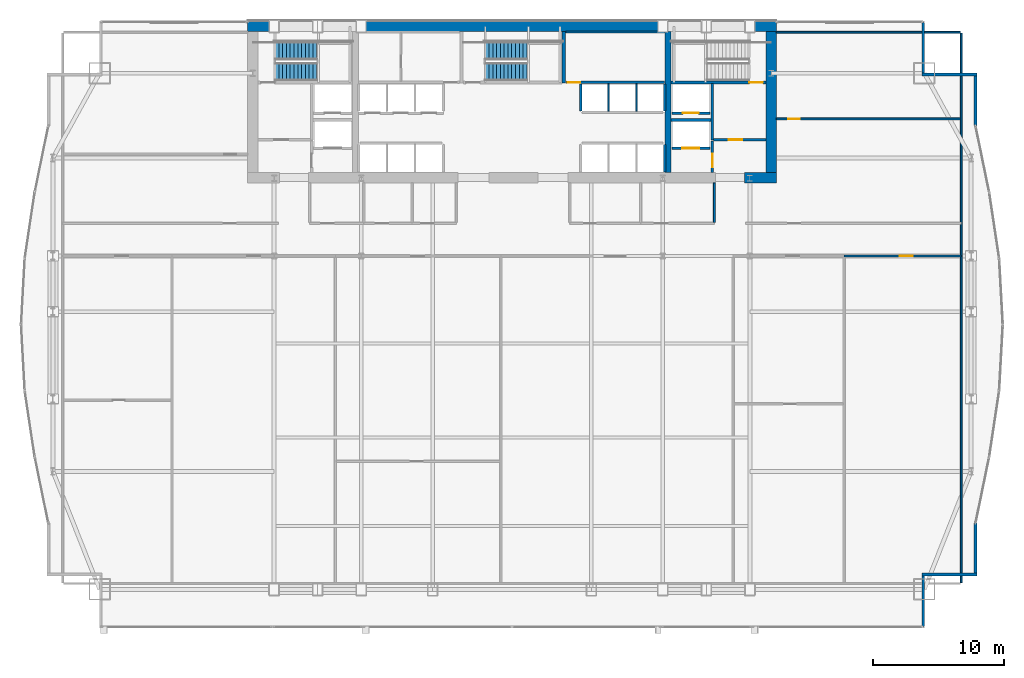
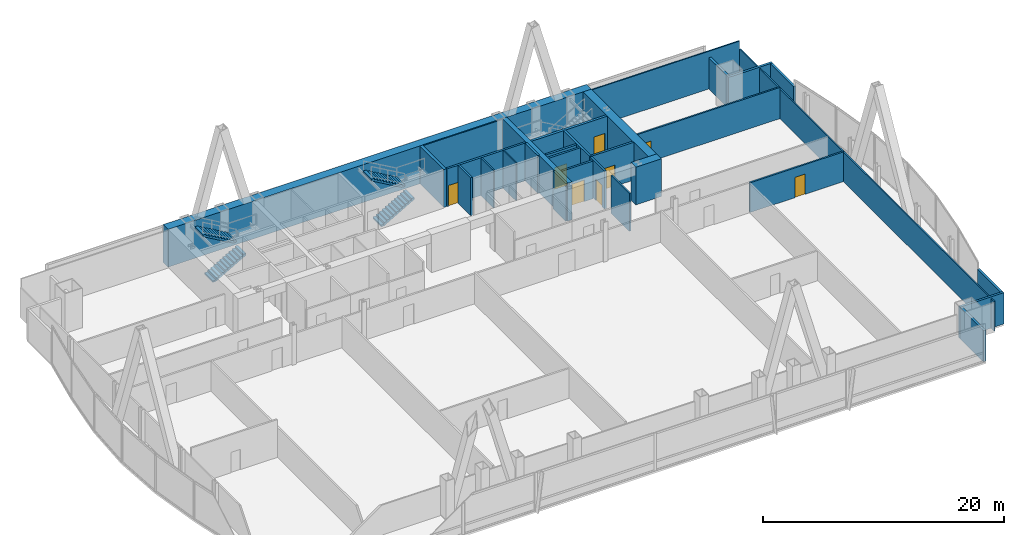
# One storey, part 33 of 36: 30 walls, 8 doors, 4 stair flights, 8 openings, 2 elements without a shape of their own.
"""IFC4 building model written with IfcOpenShell, lengths in metres."""

from ifc_helpers import new_model, si_unit, direction, frame, frame_2d, origin, place, context, subcontext, project, spatial, polyline, rectangle, outline, extrude, material, layer, layer_set, type_object, element, fill, aggregate, save


model = new_model("IFC4")

# Units and contexts
model_context = context("Model", 3, precision=1e-05, world=origin(), true_north=direction((0.0, 1.0)))
body_context = subcontext(model_context, "Body", "Model", "MODEL_VIEW")
ifc_project = project(units=[si_unit("LENGTHUNIT", "METRE"), si_unit("AREAUNIT", "SQUARE_METRE"), si_unit("VOLUMEUNIT", "CUBIC_METRE"), si_unit("PLANEANGLEUNIT", "RADIAN"), si_unit("MASSUNIT", "GRAM", prefix="KILO")], contexts=[model_context])

# Site, building, storey
site_placement = place(None, origin())
site = spatial("IfcSite", under=ifc_project, at=site_placement, CompositionType="ELEMENT")
building_placement = place(site_placement, origin())
building = spatial("IfcBuilding", under=site, at=building_placement, Name="Khoronbel Lancet Exchange", CompositionType="ELEMENT")
storey_placement = place(building_placement, frame((0.0, 0.0, 49.800048828125)))
storey = spatial("IfcBuildingStorey", under=building, at=storey_placement, Name="L11", CompositionType="ELEMENT", Elevation=49.800048828125)

# Walls
ifc_material_1 = material(Name="Concrete C80/95", Category="concrete")
ifc_layer_1 = layer(ifc_material_1, 0.800048828125, Name="Concrete C80/95")
ifc_layer_set_1 = layer_set([ifc_layer_1], Name="Concrete C80/95")
wall_type_1 = type_object("IfcWallType", Name="WL-CW1", PredefinedType="SHEAR", material=ifc_layer_set_1)
wall_1_placement = place(storey_placement, frame((16.199951171875, 53.300048828125, 0.0), z_axis=(0.0, 0.0, 1.0), x_axis=(1.0, 0.0, 0.0)))
element("IfcWall", 1, at=wall_1_placement, inside=storey, type_object=wall_type_1, Name="Level L11 rear core north shear wall", PredefinedType="SHEAR", context=body_context, shape_type="SweptSolid", body=[
    extrude(rectangle(XDim=40.5, YDim=0.800048828125, at=frame_2d((20.25, 0.0))), origin(), (0.0, 0.0, 1.0), 3.820068359375),
])
wall_2_placement = place(storey_placement, frame((56.300048828125, 52.89990234375, 0.0), z_axis=(0.0, 0.0, 1.0), x_axis=(0.0, -1.0, 0.0)))
element("IfcWall", 2, at=wall_2_placement, inside=storey, type_object=wall_type_1, Name="Level L11 rear core east shear wall", PredefinedType="SHEAR", context=body_context, shape_type="SweptSolid", body=[
    extrude(rectangle(XDim=10.7998046875, YDim=0.800048828125, at=frame_2d((5.39990234375, 0.0))), origin(), (0.0, 0.0, 1.0), 3.820068359375),
])
wall_3_placement = place(storey_placement, frame((56.699951171875, 41.699951171875, 0.0), z_axis=(0.0, 0.0, 1.0), x_axis=(-1.0, 0.0, 0.0)))
element("IfcWall", 3, at=wall_3_placement, inside=storey, type_object=wall_type_1, Name="Level L11 rear core south shear wall pier P5", PredefinedType="SHEAR", context=body_context, shape_type="SweptSolid", body=[
    extrude(rectangle(XDim=2.449951171875, YDim=0.800048828125, at=frame_2d((1.22509765625, 0.0))), origin(), (0.0, 0.0, 1.0), 3.820068359375),
])
ifc_material_2 = material(Name="Precast concrete C40/50", Category="concrete")
ifc_layer_2 = layer(ifc_material_2, 0.25, Name="Precast concrete C40/50")
ifc_layer_set_2 = layer_set([ifc_layer_2], Name="Precast concrete C40/50")
wall_type_2 = type_object("IfcWallType", Name="WL-EXT250", PredefinedType="SOLIDWALL", material=ifc_layer_set_2)
wall_4_placement = place(storey_placement, frame((67.9599609375, 53.6298828125, 0.0), z_axis=(0.0, 0.0, 1.0), x_axis=(0.0, -1.0, 0.0)))
element("IfcWall", 4, at=wall_4_placement, inside=storey, type_object=wall_type_2, Name="Level L11 notched-corner limestone pier 14", PredefinedType="SOLIDWALL", context=body_context, shape_type="SweptSolid", body=[
    extrude(rectangle(XDim=3.909912109375, YDim=0.219970703125, at=frame_2d((1.955078125, 0.0))), origin(), (0.0, 0.0, 1.0), 3.159912109375),
])
wall_5_placement = place(storey_placement, frame((67.85009765625, 49.610107421875, 0.0), z_axis=(0.0, 0.0, 1.0), x_axis=(1.0, 0.0, 0.0)))
element("IfcWall", 5, at=wall_5_placement, inside=storey, type_object=wall_type_2, Name="Level L11 notched-corner limestone pier 15", PredefinedType="SOLIDWALL", context=body_context, shape_type="SweptSolid", body=[
    extrude(rectangle(XDim=4.219970703125, YDim=0.219970703125, at=frame_2d((2.10986328125, 0.0))), origin(), (0.0, 0.0, 1.0), 3.159912109375),
])
wall_6_placement = place(storey_placement, frame((71.9599609375, 49.5, 0.0), z_axis=(0.0, 0.0, 1.0), x_axis=(0.0, -1.0, 0.0)))
element("IfcWall", 6, at=wall_6_placement, inside=storey, type_object=wall_type_2, Name="Level L11 notched-corner limestone pier 16", PredefinedType="SOLIDWALL", context=body_context, shape_type="SweptSolid", body=[
    extrude(rectangle(XDim=3.8291015625, YDim=0.219970703125, at=frame_2d((1.91455078125, 0.0))), origin(), (0.0, 0.0, 1.0), 3.159912109375),
])
wall_7_placement = place(storey_placement, frame((71.9599609375, 15.229248046875, 0.0), z_axis=(0.0, 0.0, 1.0), x_axis=(0.0, -1.0, 0.0)))
element("IfcWall", 7, at=wall_7_placement, inside=storey, type_object=wall_type_2, Name="Level L11 notched-corner limestone pier 23", PredefinedType="SOLIDWALL", context=body_context, shape_type="SweptSolid", body=[
    extrude(rectangle(XDim=3.829345703125, YDim=0.219970703125, at=frame_2d((1.91455078125, 0.0))), origin(), (0.0, 0.0, 1.0), 3.159912109375),
])
wall_8_placement = place(storey_placement, frame((72.070068359375, 11.2900390625, 0.0), z_axis=(0.0, 0.0, 1.0), x_axis=(-1.0, 0.0, 0.0)))
element("IfcWall", 8, at=wall_8_placement, inside=storey, type_object=wall_type_2, Name="Level L11 notched-corner limestone pier 24", PredefinedType="SOLIDWALL", context=body_context, shape_type="SweptSolid", body=[
    extrude(rectangle(XDim=4.219970703125, YDim=0.219970703125, at=frame_2d((2.10986328125, 0.0))), origin(), (0.0, 0.0, 1.0), 3.159912109375),
])
wall_9_placement = place(storey_placement, frame((67.9599609375, 11.179931640625, 0.0), z_axis=(0.0, 0.0, 1.0), x_axis=(0.0, -1.0, 0.0)))
element("IfcWall", 9, at=wall_9_placement, inside=storey, type_object=wall_type_2, Name="Level L11 notched-corner limestone pier 25", PredefinedType="SOLIDWALL", context=body_context, shape_type="SweptSolid", body=[
    extrude(rectangle(XDim=3.909912109375, YDim=0.219970703125, at=frame_2d((1.955078125, 0.0))), origin(), (0.0, 0.0, 1.0), 3.159912109375),
])
ifc_material_3 = material(Name="Acoustic Metal-Stud & Mineral-Wool Gypsum Partition 120 mm", Category="gypsum")
ifc_layer_3 = layer(ifc_material_3, 0.1201171875, Name="Acoustic Metal-Stud & Mineral-Wool Gypsum Partition 120 mm")
ifc_layer_set_3 = layer_set([ifc_layer_3], Name="Acoustic Metal-Stud & Mineral-Wool Gypsum Partition 120 mm")
wall_type_3 = type_object("IfcWallType", Name="WL-PRT120", PredefinedType="PARTITIONING", material=ifc_layer_set_3)
wall_10_placement = place(storey_placement, frame((51.949951171875, 38.280029296875, 0.0), z_axis=(0.0, 0.0, 1.0), x_axis=(0.0, 1.0, 0.0)))
element("IfcWall", 10, at=wall_10_placement, inside=storey, type_object=wall_type_3, Name="Level L11 interior partition PW-NP-1", PredefinedType="PARTITIONING", context=body_context, shape_type="SweptSolid", body=[
    extrude(rectangle(XDim=3.02001953125, YDim=0.14990234375, at=frame_2d((1.510009765625, 0.0))), origin(), (0.0, 0.0, 1.0), 3.820068359375),
])

# Wall, opening, door
wall_11_placement = place(storey_placement, frame((56.699951171875, 46.199951171875, 0.0), z_axis=(0.0, 0.0, 1.0), x_axis=(1.0, 0.0, 0.0)))
wall_11 = element("IfcWall", 11, at=wall_11_placement, inside=storey, type_object=wall_type_3, Name="Level L11 interior partition PW-NE-H", PredefinedType="PARTITIONING", context=body_context, shape_type="SweptSolid", body=[
    extrude(rectangle(XDim=14.10498046875, YDim=0.14990234375, at=frame_2d((7.052490234375, 0.0))), origin(), (0.0, 0.0, 1.0), 3.159912109375),
])
opening_1_placement = place(wall_11_placement, frame((0.89990234375, 0.0, 0.0)))
opening_1 = element("IfcOpeningElement", 12, at=opening_1_placement, cuts=wall_11, Name="Opening D5", PredefinedType="OPENING", context=body_context, shape_type="SweptSolid", body=[
    extrude(rectangle(XDim=0.89990234375, YDim=2.050048828125, at=frame_2d((0.449951171875, 1.02490234375))), frame((0.0, 0.0849609375, 0.0), z_axis=(0.0, -1.0, 0.0), x_axis=(1.0, 0.0, 0.0)), (0.0, 0.0, 1.0), 0.169921875),
])
ifc_material_4 = material(Name="Acoustic Timber Pantry & Support Door", Category="wood")
door_type_1 = type_object("IfcDoorType", Name="DR-D5", OperationType="NOTDEFINED", PredefinedType="DOOR", material=ifc_material_4)
door_1_placement = place(opening_1_placement, origin())
door_1 = element("IfcDoor", 13, at=door_1_placement, inside=storey, type_object=door_type_1, Name="NE north room door L11-1", OperationType="SINGLE_SWING_RIGHT", OverallHeight=2.050048828125, OverallWidth=0.89990234375, PredefinedType="DOOR", context=body_context, shape_type="SweptSolid", body=[
    extrude(rectangle(XDim=0.89990234375, YDim=2.050048828125, at=frame_2d((0.449951171875, 1.02490234375))), frame((0.0, 0.02490234375, 0.0), z_axis=(0.0, -1.0, 0.0), x_axis=(1.0, 0.0, 0.0)), (0.0, 0.0, 1.0), 0.050048828125),
])
fill(opening_1, door_1)

# Walls
wall_12_placement = place(storey_placement, frame((70.8701171875, 10.6650390625, 0.0), z_axis=(0.0, 0.0, 1.0), x_axis=(0.0, 1.0, 0.0)))
element("IfcWall", 14, at=wall_12_placement, inside=storey, type_object=wall_type_3, Name="Level L11 interior partition PW-LIN-E", PredefinedType="PARTITIONING", context=body_context, shape_type="SweptSolid", body=[
    extrude(rectangle(XDim=42.10986328125, YDim=0.1201171875, at=frame_2d((21.054931640625, 0.0))), origin(), (0.0, 0.0, 1.0), 3.010009765625),
])
wall_13_placement = place(storey_placement, frame((56.699951171875, 52.840087890625, 0.0), z_axis=(0.0, 0.0, 1.0), x_axis=(1.0, 0.0, 0.0)))
element("IfcWall", 15, at=wall_13_placement, inside=storey, type_object=wall_type_3, Name="Level L11 interior partition PW-LIN-NE", PredefinedType="PARTITIONING", context=body_context, shape_type="SweptSolid", body=[
    extrude(rectangle(XDim=14.10498046875, YDim=0.1201171875, at=frame_2d((7.052490234375, 0.0))), origin(), (0.0, 0.0, 1.0), 3.820068359375),
])
ifc_material_5 = material(Name="Fire-Rated Metal-Stud & Mineral-Wool Gypsum Partition 120 mm", Category="gypsum")
ifc_layer_4 = layer(ifc_material_5, 0.1201171875, Name="Fire-Rated Metal-Stud & Mineral-Wool Gypsum Partition 120 mm")
ifc_layer_set_4 = layer_set([ifc_layer_4], Name="Fire-Rated Metal-Stud & Mineral-Wool Gypsum Partition 120 mm")
wall_type_4 = type_object("IfcWallType", Name="WL-PRT120F", PredefinedType="PARTITIONING", material=ifc_layer_set_4)
for number, where, z_axis, x_axis, name in (
    (16, (43.860107421875, 46.804931640625, 0.0), (0.0, 0.0, 1.0), (0.0, 1.0, 0.0), "Level L11 interior partition CW-PH-D1"),
    (17, (46.0, 46.804931640625, 0.0), (0.0, 0.0, 1.0), (0.0, 1.0, 0.0), "Level L11 interior partition CW-PH-D2"),
):
    element("IfcWall", number, at=place(storey_placement, frame(where, z_axis=z_axis, x_axis=x_axis)), inside=storey, type_object=wall_type_4, Name=name, PredefinedType="PARTITIONING", context=body_context, shape_type="SweptSolid", body=[
        extrude(rectangle(XDim=2.090087890625, YDim=0.1201171875, at=frame_2d((1.044921875, 0.0))), origin(), (0.0, 0.0, 1.0), 3.820068359375),
    ])
wall_14_placement = place(storey_placement, frame((40.580078125, 52.860107421875, 0.0), z_axis=(0.0, 0.0, 1.0), x_axis=(1.0, 0.0, 0.0)))
element("IfcWall", 18, at=wall_14_placement, inside=storey, type_object=wall_type_4, Name="Level L11 interior partition CW-SUP-NE-N", PredefinedType="PARTITIONING", context=body_context, shape_type="SweptSolid", body=[
    extrude(rectangle(XDim=7.559814453125, YDim=0.1201171875, at=frame_2d((3.77978515625, 0.0))), origin(), (0.0, 0.0, 1.0), 3.820068359375),
])

# Wall, opening, door
ifc_material_6 = material(Name="Fire-Rated Twin-Stud Acoustic Gypsum Partition 160 mm", Category="gypsum")
ifc_layer_5 = layer(ifc_material_6, 0.159912109375, Name="Fire-Rated Twin-Stud Acoustic Gypsum Partition 160 mm")
ifc_layer_set_5 = layer_set([ifc_layer_5], Name="Fire-Rated Twin-Stud Acoustic Gypsum Partition 160 mm")
wall_type_5 = type_object("IfcWallType", Name="WL-PRT160C", PredefinedType="PARTITIONING", material=ifc_layer_set_5)
wall_15_placement = place(storey_placement, frame((61.90185546875, 35.699951171875, 0.0), z_axis=(0.0, 0.0, 1.0), x_axis=(1.0, 0.0, 0.0)))
wall_15 = element("IfcWall", 19, at=wall_15_placement, inside=storey, type_object=wall_type_5, Name="Level L11 interior partition PW-Z1S-COR6", PredefinedType="PARTITIONING", context=body_context, shape_type="SweptSolid", body=[
    extrude(rectangle(XDim=8.96826171875, YDim=0.159912109375, at=frame_2d((4.484130859375, 0.0))), origin(), (0.0, 0.0, 1.0), 3.010009765625),
])
opening_2_placement = place(wall_15_placement, frame((4.2666015625, 0.0, 0.0)))
opening_2 = element("IfcOpeningElement", 20, at=opening_2_placement, cuts=wall_15, Name="Opening D2", PredefinedType="OPENING", context=body_context, shape_type="SweptSolid", body=[
    extrude(rectangle(XDim=1.0, YDim=2.050048828125, at=frame_2d((0.5, 1.02490234375))), frame((0.0, 0.08984375, 0.0), z_axis=(0.0, -1.0, 0.0), x_axis=(1.0, 0.0, 0.0)), (0.0, 0.0, 1.0), 0.179931640625),
])
ifc_material_7 = material(Name="Acoustic Veneered Timber & Bronze Frame Door", Category="wood")
door_type_2 = type_object("IfcDoorType", Name="DR-D2", OperationType="NOTDEFINED", PredefinedType="DOOR", material=ifc_material_7)
door_2_placement = place(opening_2_placement, origin())
door_2 = element("IfcDoor", 21, at=door_2_placement, inside=storey, type_object=door_type_2, Name="Z1S bay 6 door L11-1", OperationType="SINGLE_SWING_RIGHT", OverallHeight=2.050048828125, OverallWidth=1.0, PredefinedType="DOOR", context=body_context, shape_type="SweptSolid", body=[
    extrude(rectangle(XDim=1.0, YDim=2.050048828125, at=frame_2d((0.5, 1.02490234375))), frame((0.0, 0.02490234375, 0.0), z_axis=(0.0, -1.0, 0.0), x_axis=(1.0, 0.0, 0.0)), (0.0, 0.0, 1.0), 0.050048828125),
])
fill(opening_2, door_2)

ifc_material_8 = material(Name="Autoclaved Aerated Concrete Blockwork 200 mm", Category="masonry")
ifc_layer_6 = layer(ifc_material_8, 0.199951171875, Name="Autoclaved Aerated Concrete Blockwork 200 mm")
ifc_layer_set_6 = layer_set([ifc_layer_6], Name="Autoclaved Aerated Concrete Blockwork 200 mm")
wall_type_6 = type_object("IfcWallType", Name="WL-PRT200", PredefinedType="PARTITIONING", material=ifc_layer_set_6)
wall_16_placement = place(storey_placement, frame((51.610107421875, 43.949951171875, 0.0), z_axis=(0.0, 0.0, 1.0), x_axis=(-1.0, 0.0, 0.0)))
wall_16 = element("IfcWall", 22, at=wall_16_placement, inside=storey, type_object=wall_type_6, Name="Level L11 elevator hoistway landing front wall SVLE", PredefinedType="PARTITIONING", context=body_context, shape_type="SweptSolid", body=[
    extrude(rectangle(XDim=2.920166015625, YDim=0.199951171875, at=frame_2d((1.4599609375, 0.0))), origin(), (0.0, 0.0, 1.0), 3.820068359375),
])
opening_3_placement = place(wall_16_placement, frame((0.81005859375, 0.0, 0.0)))
opening_3 = element("IfcOpeningElement", 23, at=opening_3_placement, cuts=wall_16, Name="Opening LD-SVL2", PredefinedType="OPENING", context=body_context, shape_type="SweptSolid", body=[
    extrude(rectangle(XDim=1.300048828125, YDim=2.179931640625, at=frame_2d((0.64990234375, 1.08984375))), frame((0.0, 0.10986328125, 0.0), z_axis=(0.0, -1.0, 0.0), x_axis=(1.0, 0.0, 0.0)), (0.0, 0.0, 1.0), 0.219970703125),
])
ifc_material_9 = material(Name="Heavy-Duty Bi-Parting Goods Lift Landing Door", Category="steel")
door_type_3 = type_object("IfcDoorType", Name="DR-LD-SVL", OperationType="NOTDEFINED", PredefinedType="DOOR", material=ifc_material_9)
door_3_placement = place(opening_3_placement, origin())
door_3 = element("IfcDoor", 24, at=door_3_placement, inside=storey, type_object=door_type_3, Name="Elevator landing sliding door LD-SVL2 L11", OperationType="SLIDING_TO_LEFT", OverallHeight=2.179931640625, OverallWidth=1.300048828125, PredefinedType="DOOR", context=body_context, shape_type="SweptSolid", body=[
    extrude(rectangle(XDim=1.300048828125, YDim=2.179931640625, at=frame_2d((0.64990234375, 1.08984375))), frame((0.0, 0.02490234375, 0.0), z_axis=(0.0, -1.0, 0.0), x_axis=(1.0, 0.0, 0.0)), (0.0, 0.0, 1.0), 0.050048828125),
])
fill(opening_3, door_3)

wall_17_placement = place(storey_placement, frame((51.610107421875, 46.64990234375, 0.0), z_axis=(0.0, 0.0, 1.0), x_axis=(-1.0, 0.0, 0.0)))
wall_17 = element("IfcWall", 25, at=wall_17_placement, inside=storey, type_object=wall_type_6, Name="Level L11 elevator hoistway landing front wall FFLE", PredefinedType="PARTITIONING", context=body_context, shape_type="SweptSolid", body=[
    extrude(rectangle(XDim=2.920166015625, YDim=0.199951171875, at=frame_2d((1.4599609375, 0.0))), origin(), (0.0, 0.0, 1.0), 3.820068359375),
])
opening_4_placement = place(wall_17_placement, frame((0.860107421875, 0.0, 0.0)))
opening_4 = element("IfcOpeningElement", 26, at=opening_4_placement, cuts=wall_17, Name="Opening LD-FFL2", PredefinedType="OPENING", context=body_context, shape_type="SweptSolid", body=[
    extrude(rectangle(XDim=1.199951171875, YDim=2.179931640625, at=frame_2d((0.60009765625, 1.08984375))), frame((0.0, 0.10986328125, 0.0), z_axis=(0.0, -1.0, 0.0), x_axis=(1.0, 0.0, 0.0)), (0.0, 0.0, 1.0), 0.219970703125),
])
ifc_material_10 = material(Name="Fire-Rated Stainless Bi-Parting Firefighting Lift Door", Category="steel")
door_type_4 = type_object("IfcDoorType", Name="DR-LD-FFL", OperationType="NOTDEFINED", PredefinedType="DOOR", material=ifc_material_10)
door_4_placement = place(opening_4_placement, origin())
door_4 = element("IfcDoor", 27, at=door_4_placement, inside=storey, type_object=door_type_4, Name="Elevator landing sliding door LD-FFL2 L11", OperationType="SLIDING_TO_LEFT", OverallHeight=2.179931640625, OverallWidth=1.199951171875, PredefinedType="DOOR", context=body_context, shape_type="SweptSolid", body=[
    extrude(rectangle(XDim=1.199951171875, YDim=2.179931640625, at=frame_2d((0.60009765625, 1.08984375))), frame((0.0, 0.02490234375, 0.0), z_axis=(0.0, -1.0, 0.0), x_axis=(1.0, 0.0, 0.0)), (0.0, 0.0, 1.0), 0.050048828125),
])
fill(opening_4, door_4)

# Wall
wall_18_placement = place(storey_placement, frame((51.800048828125, 44.60009765625, 0.0), z_axis=(0.0, 0.0, 1.0), x_axis=(0.0, 1.0, 0.0)))
element("IfcWall", 28, at=wall_18_placement, inside=storey, type_object=wall_type_6, Name="Level L11 interior partition CW-FFLE-W", PredefinedType="PARTITIONING", context=body_context, shape_type="SweptSolid", body=[
    extrude(rectangle(XDim=4.2998046875, YDim=0.199951171875, at=frame_2d((2.14990234375, 0.0))), origin(), (0.0, 0.0, 1.0), 3.820068359375),
])

# Wall, opening, door
wall_19_placement = place(storey_placement, frame((51.89990234375, 44.60009765625, 0.0), z_axis=(0.0, 0.0, 1.0), x_axis=(1.0, 0.0, 0.0)))
wall_19 = element("IfcWall", 29, at=wall_19_placement, inside=storey, type_object=wall_type_6, Name="Level L11 interior partition CW-FFLE-S", PredefinedType="PARTITIONING", context=body_context, shape_type="SweptSolid", body=[
    extrude(rectangle(XDim=4.0, YDim=0.199951171875, at=frame_2d((2.0, 0.0))), origin(), (0.0, 0.0, 1.0), 3.820068359375),
])
opening_5_placement = place(wall_19_placement, frame((1.14990234375, 0.0, 0.0)))
opening_5 = element("IfcOpeningElement", 30, at=opening_5_placement, cuts=wall_19, Name="Opening FD1", PredefinedType="OPENING", context=body_context, shape_type="SweptSolid", body=[
    extrude(rectangle(XDim=1.050048828125, YDim=2.14990234375, at=frame_2d((0.52490234375, 1.074951171875))), frame((0.0, 0.10986328125, 0.0), z_axis=(0.0, -1.0, 0.0), x_axis=(1.0, 0.0, 0.0)), (0.0, 0.0, 1.0), 0.219970703125),
])
ifc_material_11 = material(Name="Fire-Rated Painted Steel Door Assembly", Category="steel")
door_type_5 = type_object("IfcDoorType", Name="DR-FD1", OperationType="NOTDEFINED", PredefinedType="DOOR", material=ifc_material_11)
door_5_placement = place(opening_5_placement, origin())
door_5 = element("IfcDoor", 31, at=door_5_placement, inside=storey, type_object=door_type_5, Name="East firefighting lobby FD90S door L11-1", OperationType="SINGLE_SWING_LEFT", OverallHeight=2.14990234375, OverallWidth=1.050048828125, PredefinedType="DOOR", context=body_context, shape_type="SweptSolid", body=[
    extrude(rectangle(XDim=1.050048828125, YDim=2.14990234375, at=frame_2d((0.52490234375, 1.074951171875))), frame((0.0, 0.02490234375, 0.0), z_axis=(0.0, -1.0, 0.0), x_axis=(1.0, 0.0, 0.0)), (0.0, 0.0, 1.0), 0.050048828125),
])
fill(opening_5, door_5)

# Wall
wall_20_placement = place(storey_placement, frame((48.6298828125, 46.1201171875, 0.0), z_axis=(0.0, 0.0, 1.0), x_axis=(1.0, 0.0, 0.0)))
element("IfcWall", 32, at=wall_20_placement, inside=storey, type_object=wall_type_6, Name="Level L11 interior partition CW-FFL2-S", PredefinedType="PARTITIONING", context=body_context, shape_type="SweptSolid", body=[
    extrude(rectangle(XDim=3.070068359375, YDim=0.199951171875, at=frame_2d((1.53515625, 0.0))), origin(), (0.0, 0.0, 1.0), 3.820068359375),
])

# Wall, opening, door
wall_21_placement = place(storey_placement, frame((51.800048828125, 42.10009765625, 0.0), z_axis=(0.0, 0.0, 1.0), x_axis=(0.0, 1.0, 0.0)))
wall_21 = element("IfcWall", 33, at=wall_21_placement, inside=storey, type_object=wall_type_6, Name="Level L11 interior partition CW-SVLE-E", PredefinedType="PARTITIONING", context=body_context, shape_type="SweptSolid", body=[
    extrude(rectangle(XDim=2.39501953125, YDim=0.199951171875, at=frame_2d((1.197509765625, 0.0))), origin(), (0.0, 0.0, 1.0), 3.820068359375),
])
opening_6_placement = place(wall_21_placement, frame((0.3798828125, 0.0, 0.0)))
opening_6 = element("IfcOpeningElement", 34, at=opening_6_placement, cuts=wall_21, Name="Opening FD1", PredefinedType="OPENING", context=body_context, shape_type="SweptSolid", body=[
    extrude(rectangle(XDim=1.050048828125, YDim=2.14990234375, at=frame_2d((0.52490234375, 1.074951171875))), frame((0.0, 0.10986328125, 0.0), z_axis=(0.0, -1.0, 0.0), x_axis=(1.0, 0.0, 0.0)), (0.0, 0.0, 1.0), 0.219970703125),
])
door_6_placement = place(opening_6_placement, origin())
door_6 = element("IfcDoor", 35, at=door_6_placement, inside=storey, type_object=door_type_5, Name="East service lift lobby door L11-1", OperationType="SINGLE_SWING_RIGHT", OverallHeight=2.14990234375, OverallWidth=1.050048828125, PredefinedType="DOOR", context=body_context, shape_type="SweptSolid", body=[
    extrude(rectangle(XDim=1.050048828125, YDim=2.14990234375, at=frame_2d((0.52490234375, 1.074951171875))), frame((0.0, 0.02490234375, 0.0), z_axis=(0.0, -1.0, 0.0), x_axis=(1.0, 0.0, 0.0)), (0.0, 0.0, 1.0), 0.050048828125),
])
fill(opening_6, door_6)

# Walls
for number, where, z_axis, x_axis, name in (
    (36, (41.719970703125, 46.804931640625, 0.0), (0.0, 0.0, 1.0), (0.0, 1.0, 0.0), "Level L11 interior partition CW-PH-W"),
    (37, (48.139892578125, 46.804931640625, 0.0), (0.0, 0.0, 1.0), (0.0, 1.0, 0.0), "Level L11 interior partition CW-PH-E"),
):
    element("IfcWall", number, at=place(storey_placement, frame(where, z_axis=z_axis, x_axis=x_axis)), inside=storey, type_object=wall_type_6, Name=name, PredefinedType="PARTITIONING", context=body_context, shape_type="SweptSolid", body=[
        extrude(rectangle(XDim=2.090087890625, YDim=0.199951171875, at=frame_2d((1.044921875, 0.0))), origin(), (0.0, 0.0, 1.0), 3.820068359375),
    ])
wall_22_placement = place(storey_placement, frame((48.139892578125, 42.14990234375, 0.0), z_axis=(0.0, 0.0, 1.0), x_axis=(0.0, 1.0, 0.0)))
element("IfcWall", 38, at=wall_22_placement, inside=storey, type_object=wall_type_6, Name="Level L11 interior partition CW-PX-E", PredefinedType="PARTITIONING", context=body_context, shape_type="SweptSolid", body=[
    extrude(rectangle(XDim=2.09521484375, YDim=0.199951171875, at=frame_2d((1.047607421875, 0.0))), origin(), (0.0, 0.0, 1.0), 3.820068359375),
])

# Wall, opening, door
wall_23_placement = place(storey_placement, frame((40.580078125, 49.0, 0.0), z_axis=(0.0, 0.0, 1.0), x_axis=(1.0, 0.0, 0.0)))
wall_23 = element("IfcWall", 39, at=wall_23_placement, inside=storey, type_object=wall_type_6, Name="Level L11 interior partition CW-SUP-NE-S", PredefinedType="PARTITIONING", context=body_context, shape_type="SweptSolid", body=[
    extrude(rectangle(XDim=7.559814453125, YDim=0.199951171875, at=frame_2d((3.77978515625, 0.0))), origin(), (0.0, 0.0, 1.0), 3.820068359375),
])
opening_7_placement = place(wall_23_placement, frame((0.159912109375, 0.0, 0.0)))
opening_7 = element("IfcOpeningElement", 40, at=opening_7_placement, cuts=wall_23, Name="Opening FD3", PredefinedType="OPENING", context=body_context, shape_type="SweptSolid", body=[
    extrude(rectangle(XDim=0.949951171875, YDim=2.10009765625, at=frame_2d((0.47509765625, 1.050048828125))), frame((0.0, 0.10986328125, 0.0), z_axis=(0.0, -1.0, 0.0), x_axis=(1.0, 0.0, 0.0)), (0.0, 0.0, 1.0), 0.219970703125),
])
ifc_material_12 = material(Name="Fire-Rated Steel Plant & Riser Door Assembly", Category="steel")
door_type_6 = type_object("IfcDoorType", Name="DR-FD3", OperationType="NOTDEFINED", PredefinedType="DOOR", material=ifc_material_12)
door_7_placement = place(opening_7_placement, origin())
door_7 = element("IfcDoor", 41, at=door_7_placement, inside=storey, type_object=door_type_6, Name="Core NE support room door L11-1", OperationType="SINGLE_SWING_LEFT", OverallHeight=2.10009765625, OverallWidth=0.949951171875, PredefinedType="DOOR", context=body_context, shape_type="SweptSolid", body=[
    extrude(rectangle(XDim=0.949951171875, YDim=2.10009765625, at=frame_2d((0.47509765625, 1.050048828125))), frame((0.0, 0.02490234375, 0.0), z_axis=(0.0, -1.0, 0.0), x_axis=(1.0, 0.0, 0.0)), (0.0, 0.0, 1.0), 0.050048828125),
])
fill(opening_7, door_7)

# Walls
ifc_layer_7 = layer(ifc_material_1, 0.449951171875, Name="Concrete C80/95")
ifc_layer_set_7 = layer_set([ifc_layer_7], Name="Concrete C80/95")
wall_type_7 = type_object("IfcWallType", Name="WL-SW1", PredefinedType="SHEAR", material=ifc_layer_set_7)
wall_24_placement = place(storey_placement, frame((48.39990234375, 42.10009765625, 0.0), z_axis=(0.0, 0.0, 1.0), x_axis=(0.0, 1.0, 0.0)))
element("IfcWall", 42, at=wall_24_placement, inside=storey, type_object=wall_type_7, Name="Level L11 rear core internal spine shear wall IE", PredefinedType="SHEAR", context=body_context, shape_type="SweptSolid", body=[
    extrude(rectangle(XDim=10.7998046875, YDim=0.449951171875, at=frame_2d((5.39990234375, 0.0))), origin(), (0.0, 0.0, 1.0), 3.820068359375),
])
ifc_material_13 = material(Name="Concrete C60/75", Category="concrete")
ifc_layer_8 = layer(ifc_material_13, 0.260009765625, Name="Concrete C60/75")
ifc_layer_set_8 = layer_set([ifc_layer_8], Name="Concrete C60/75")
wall_type_8 = type_object("IfcWallType", Name="WL-SW3", PredefinedType="SHEAR", material=ifc_layer_set_8)
wall_25_placement = place(storey_placement, frame((40.419921875, 48.949951171875, 0.0), z_axis=(0.0, 0.0, 1.0), x_axis=(0.0, 1.0, 0.0)))
element("IfcWall", 43, at=wall_25_placement, inside=storey, type_object=wall_type_8, Name="Level L11 central stairwell structural shear wall ST3E", PredefinedType="SHEAR", context=body_context, shape_type="SweptSolid", body=[
    extrude(rectangle(XDim=3.949951171875, YDim=0.260009765625, at=frame_2d((1.97509765625, 0.0))), origin(), (0.0, 0.0, 1.0), 3.820068359375),
])

# Wall, opening, door
wall_26_placement = place(storey_placement, frame((48.6298828125, 48.97998046875, 0.0), z_axis=(0.0, 0.0, 1.0), x_axis=(1.0, 0.0, 0.0)))
wall_26 = element("IfcWall", 44, at=wall_26_placement, inside=storey, type_object=wall_type_8, Name="Level L11 east stairwell structural south wall", PredefinedType="SHEAR", context=body_context, shape_type="SweptSolid", body=[
    extrude(rectangle(XDim=7.27001953125, YDim=0.239990234375, at=frame_2d((3.635009765625, 0.0))), origin(), (0.0, 0.0, 1.0), 3.820068359375),
])
opening_8_placement = place(wall_26_placement, frame((6.0, 0.0, 0.0)))
opening_8 = element("IfcOpeningElement", 45, at=opening_8_placement, cuts=wall_26, Name="Opening SD1", PredefinedType="OPENING", context=body_context, shape_type="SweptSolid", body=[
    extrude(rectangle(XDim=1.050048828125, YDim=2.14990234375, at=frame_2d((0.52490234375, 1.074951171875))), frame((0.0, 0.1298828125, 0.0), z_axis=(0.0, -1.0, 0.0), x_axis=(1.0, 0.0, 0.0)), (0.0, 0.0, 1.0), 0.260009765625),
])
ifc_material_14 = material(Name="Fire-Rated Steel Stairwell Door Assembly", Category="steel")
door_type_7 = type_object("IfcDoorType", Name="DR-SD1", OperationType="NOTDEFINED", PredefinedType="DOOR", material=ifc_material_14)
door_8_placement = place(opening_8_placement, origin())
door_8 = element("IfcDoor", 46, at=door_8_placement, inside=storey, type_object=door_type_7, Name="Protected exit stair ST2 door L11", OperationType="SINGLE_SWING_RIGHT", OverallHeight=2.14990234375, OverallWidth=1.050048828125, PredefinedType="DOOR", context=body_context, shape_type="SweptSolid", body=[
    extrude(rectangle(XDim=1.050048828125, YDim=2.14990234375, at=frame_2d((0.52490234375, 1.074951171875))), frame((0.0, 0.02490234375, 0.0), z_axis=(0.0, -1.0, 0.0), x_axis=(1.0, 0.0, 0.0)), (0.0, 0.0, 1.0), 0.050048828125),
])
fill(opening_8, door_8)

# Stair, stair flights
ifc_material_15 = material(Name="Concrete C40/50", Category="concrete")
stair_type = type_object("IfcStairType", Name="STR-CORE150", PredefinedType="HALF_TURN_STAIR", material=ifc_material_15)
stair_1_placement = place(storey_placement, origin())
stair_1 = element("IfcStair", 47, at=stair_1_placement, inside=storey, type_object=stair_type, Name="L11 Protected Exit Stair ST1", PredefinedType="HALF_TURN_STAIR")
stair_flight_type = type_object("IfcStairFlightType", Name="STF-150", PredefinedType="STRAIGHT", material=ifc_material_15)
stair_flight_1_placement = place(storey_placement, frame((18.300048828125, 49.81005859375, 0.0), z_axis=(0.0, 0.0, 1.0), x_axis=(1.0, 0.0, 0.0)))
stair_flight_1 = element("IfcStairFlight", 48, at=stair_flight_1_placement, type_object=stair_flight_type, Name="ST1 flight 1", NumberOfRisers=12, NumberOfTreads=11, PredefinedType="STRAIGHT", RiserHeight=0.166666667, TreadLength=0.29, context=body_context, shape_type="SweptSolid", body=[
    extrude(outline(polyline([(0.0, 0.0), (0.0, 0.166748046875), (0.2900390625, 0.166748046875), (0.2900390625, 0.333251953125), (0.580078125, 0.333251953125), (0.580078125, 0.5), (0.8701171875, 0.5), (0.8701171875, 0.666748046875), (1.159912109375, 0.666748046875), (1.159912109375, 0.833251953125), (1.449951171875, 0.833251953125), (1.449951171875, 1.0), (1.739990234375, 1.0), (1.739990234375, 1.166748046875), (2.030029296875, 1.166748046875), (2.030029296875, 1.333251953125), (2.320068359375, 1.333251953125), (2.320068359375, 1.5), (2.610107421875, 1.5), (2.610107421875, 1.666748046875), (2.89990234375, 1.666748046875), (2.89990234375, 1.833251953125), (3.18994140625, 1.833251953125), (3.18994140625, 2.0), (3.18994140625, 1.660400390625), (0.30078125, 0.0), (0.0, 0.0)])), frame((0.0, 0.68994140625, 0.0), z_axis=(0.0, -1.0, 0.0), x_axis=(1.0, 0.0, 0.0)), (0.0, 0.0, 1.0), 1.3798828125),
])
stair_flight_2_placement = place(storey_placement, frame((21.489990234375, 51.409912109375, 2.0), z_axis=(0.0, 0.0, 1.0), x_axis=(-1.0, 0.0, 0.0)))
stair_flight_2 = element("IfcStairFlight", 49, at=stair_flight_2_placement, type_object=stair_flight_type, Name="ST1 flight 2", NumberOfRisers=12, NumberOfTreads=11, PredefinedType="STRAIGHT", RiserHeight=0.166666667, TreadLength=0.29, context=body_context, shape_type="SweptSolid", body=[
    extrude(outline(polyline([(0.0, 0.0), (0.0, 0.166748046875), (0.2900390625, 0.166748046875), (0.2900390625, 0.333251953125), (0.580078125, 0.333251953125), (0.580078125, 0.5), (0.8701171875, 0.5), (0.8701171875, 0.666748046875), (1.159912109375, 0.666748046875), (1.159912109375, 0.833251953125), (1.449951171875, 0.833251953125), (1.449951171875, 1.0), (1.739990234375, 1.0), (1.739990234375, 1.166748046875), (2.030029296875, 1.166748046875), (2.030029296875, 1.333251953125), (2.320068359375, 1.333251953125), (2.320068359375, 1.5), (2.610107421875, 1.5), (2.610107421875, 1.666748046875), (2.89990234375, 1.666748046875), (2.89990234375, 1.833251953125), (3.18994140625, 1.833251953125), (3.18994140625, 2.0), (3.18994140625, 1.660400390625), (0.30078125, 0.0), (0.0, 0.0)])), frame((0.0, 0.68994140625, 0.0), z_axis=(0.0, -1.0, 0.0), x_axis=(1.0, 0.0, 0.0)), (0.0, 0.0, 1.0), 1.3798828125),
])
aggregate(stair_1, [stair_flight_1, stair_flight_2])

stair_2_placement = place(storey_placement, origin())
stair_2 = element("IfcStair", 50, at=stair_2_placement, inside=storey, type_object=stair_type, Name="L11 Protected Exit Stair ST3", PredefinedType="HALF_TURN_STAIR")
stair_flight_3_placement = place(storey_placement, frame((34.39990234375, 49.81005859375, 0.0), z_axis=(0.0, 0.0, 1.0), x_axis=(1.0, 0.0, 0.0)))
stair_flight_3 = element("IfcStairFlight", 51, at=stair_flight_3_placement, type_object=stair_flight_type, Name="ST3 flight 1", NumberOfRisers=12, NumberOfTreads=11, PredefinedType="STRAIGHT", RiserHeight=0.166666667, TreadLength=0.29, context=body_context, shape_type="SweptSolid", body=[
    extrude(outline(polyline([(0.0, 0.0), (0.0, 0.166748046875), (0.2900390625, 0.166748046875), (0.2900390625, 0.333251953125), (0.580078125, 0.333251953125), (0.580078125, 0.5), (0.8701171875, 0.5), (0.8701171875, 0.666748046875), (1.159912109375, 0.666748046875), (1.159912109375, 0.833251953125), (1.449951171875, 0.833251953125), (1.449951171875, 1.0), (1.739990234375, 1.0), (1.739990234375, 1.166748046875), (2.030029296875, 1.166748046875), (2.030029296875, 1.333251953125), (2.320068359375, 1.333251953125), (2.320068359375, 1.5), (2.610107421875, 1.5), (2.610107421875, 1.666748046875), (2.89990234375, 1.666748046875), (2.89990234375, 1.833251953125), (3.18994140625, 1.833251953125), (3.18994140625, 2.0), (3.18994140625, 1.660400390625), (0.30078125, 0.0), (0.0, 0.0)])), frame((0.0, 0.68994140625, 0.0), z_axis=(0.0, -1.0, 0.0), x_axis=(1.0, 0.0, 0.0)), (0.0, 0.0, 1.0), 1.3798828125),
])
stair_flight_4_placement = place(storey_placement, frame((37.590087890625, 51.409912109375, 2.0), z_axis=(0.0, 0.0, 1.0), x_axis=(-1.0, 0.0, 0.0)))
stair_flight_4 = element("IfcStairFlight", 52, at=stair_flight_4_placement, type_object=stair_flight_type, Name="ST3 flight 2", NumberOfRisers=12, NumberOfTreads=11, PredefinedType="STRAIGHT", RiserHeight=0.166666667, TreadLength=0.29, context=body_context, shape_type="SweptSolid", body=[
    extrude(outline(polyline([(0.0, 0.0), (0.0, 0.166748046875), (0.2900390625, 0.166748046875), (0.2900390625, 0.333251953125), (0.580078125, 0.333251953125), (0.580078125, 0.5), (0.8701171875, 0.5), (0.8701171875, 0.666748046875), (1.159912109375, 0.666748046875), (1.159912109375, 0.833251953125), (1.449951171875, 0.833251953125), (1.449951171875, 1.0), (1.739990234375, 1.0), (1.739990234375, 1.166748046875), (2.030029296875, 1.166748046875), (2.030029296875, 1.333251953125), (2.320068359375, 1.333251953125), (2.320068359375, 1.5), (2.610107421875, 1.5), (2.610107421875, 1.666748046875), (2.89990234375, 1.666748046875), (2.89990234375, 1.833251953125), (3.18994140625, 1.833251953125), (3.18994140625, 2.0), (3.18994140625, 1.660400390625), (0.30078125, 0.0), (0.0, 0.0)])), frame((0.0, 0.68994140625, 0.0), z_axis=(0.0, -1.0, 0.0), x_axis=(1.0, 0.0, 0.0)), (0.0, 0.0, 1.0), 1.3798828125),
])
aggregate(stair_2, [stair_flight_3, stair_flight_4])

save(model, "model.ifc")
